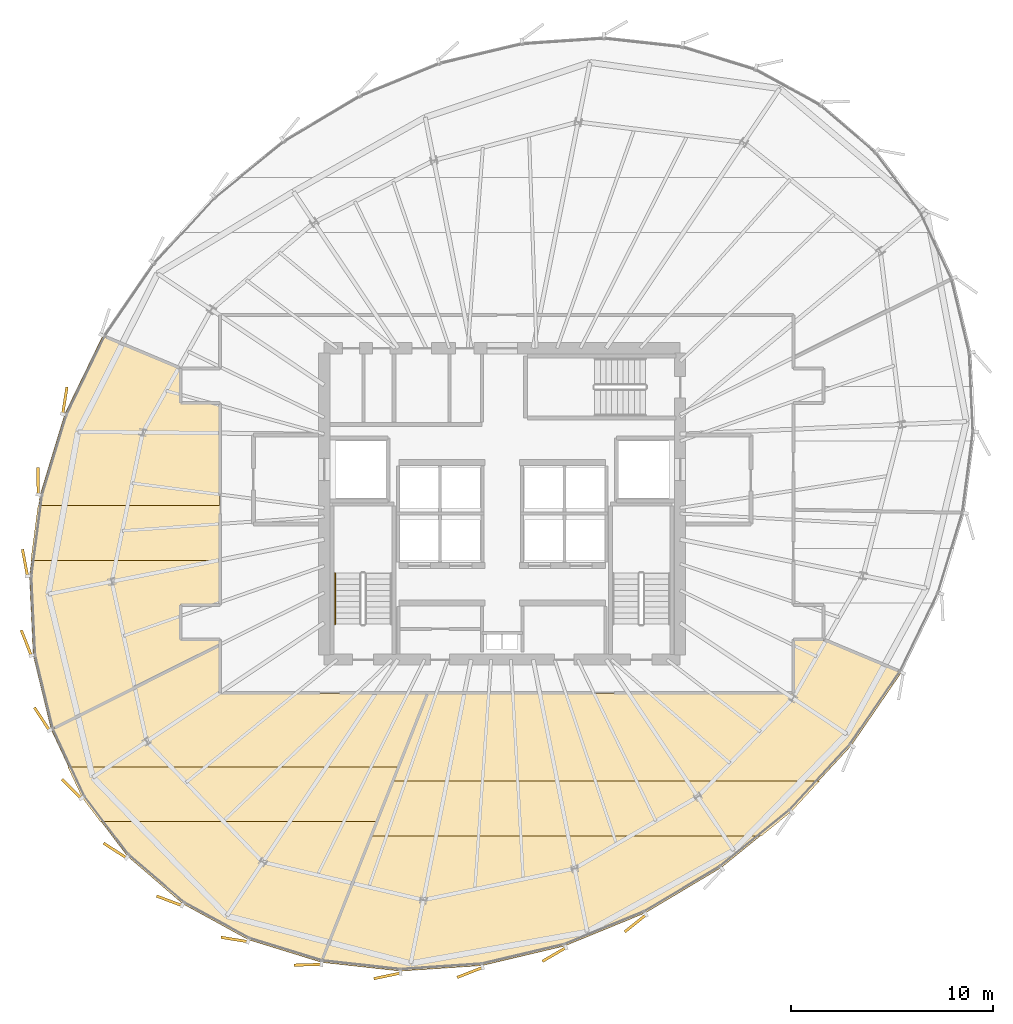
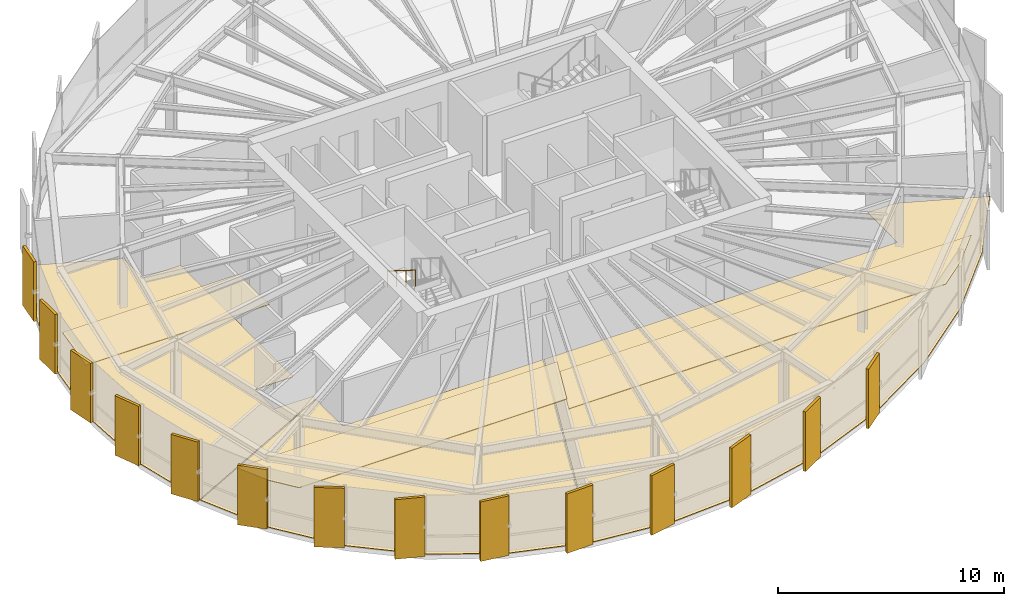
# One storey, part 32 of 34: 20 coverings, 1 railing.
"""IFC4 building model written with IfcOpenShell, lengths in metres."""

from ifc_helpers import new_model, si_unit, direction, frame, origin, origin_2d, place, context, subcontext, project, spatial, polyline, rectangle, circle, outline, extrude, source, transform, mapped, material, layer, layer_set, type_object, element, save


model = new_model("IFC4")

# Units and contexts
model_context = context("Model", 3, precision=1e-05, world=origin(), true_north=direction((0.0, 1.0)))
body_context = subcontext(model_context, "Body", "Model", "MODEL_VIEW")
ifc_project = project(units=[si_unit("LENGTHUNIT", "METRE"), si_unit("AREAUNIT", "SQUARE_METRE"), si_unit("VOLUMEUNIT", "CUBIC_METRE"), si_unit("PLANEANGLEUNIT", "RADIAN"), si_unit("MASSUNIT", "GRAM", prefix="KILO"), si_unit("THERMODYNAMICTEMPERATUREUNIT", "KELVIN")], contexts=[model_context])

# Site, building, storey
site_placement = place(None, origin())
site = spatial("IfcSite", under=ifc_project, at=site_placement, CompositionType="ELEMENT")
building_placement = place(site_placement, origin())
building = spatial("IfcBuilding", under=site, at=building_placement, Name="Kethvar Cultural Tower", CompositionType="ELEMENT")
storey_placement = place(building_placement, frame((0.0, 0.0, 207.89990234375)))
storey = spatial("IfcBuildingStorey", under=building, at=storey_placement, Name="L54", CompositionType="ELEMENT", Elevation=207.89990234375)

# Coverings
ifc_material_1 = material(Name="Acoustic Mineral Fibre Ceiling")
ifc_layer_1 = layer(ifc_material_1, 0.0400390625, Name="Acoustic Mineral Fibre Ceiling")
ifc_layer_set_1 = layer_set([ifc_layer_1], Name="Acoustic Mineral Fibre Ceiling (40 mm)")
covering_type_1 = type_object("IfcCoveringType", Name="CV-ACOUSTIC-CEIL", PredefinedType="CEILING", material=ifc_layer_set_1)
covering_1_placement = place(storey_placement, frame((0.0, 0.0, 2.56005859375)))
element("IfcCovering", 1, at=covering_1_placement, inside=storey, type_object=covering_type_1, Name="L54 Room 01 Acoustic Ceiling Panel", PredefinedType="CEILING", context=body_context, shape_type="SweptSolid", body=[
    extrude(outline(polyline([(26.033203125, 13.271484375), (25.320556640625, 14.7919921875), (41.704833984375, 14.7919921875), (40.638916015625, 12.08203125), (26.93310546875, 12.08203125), (26.033203125, 13.271484375)])), origin(), (0.0, 0.0, 1.0), 0.0400390625),
])
covering_2_placement = place(storey_placement, frame((0.0, 0.0, 2.56005859375)))
element("IfcCovering", 2, at=covering_2_placement, inside=storey, type_object=covering_type_1, Name="L54 Room 02 Acoustic Ceiling Panel", PredefinedType="CEILING", context=body_context, shape_type="SweptSolid", body=[
    extrude(outline(polyline([(61.096923828125, 12.577392578125), (59.62109375, 11.3779296875), (40.31884765625, 11.3779296875), (41.385009765625, 14.087890625), (62.490478515625, 14.087890625), (61.096923828125, 12.577392578125)])), origin(), (0.0, 0.0, 1.0), 0.0400390625),
])
covering_3_placement = place(storey_placement, frame((0.0, 0.0, 2.56005859375)))
element("IfcCovering", 3, at=covering_3_placement, inside=storey, type_object=covering_type_1, Name="L54 Room 06 Acoustic Ceiling Panel", PredefinedType="CEILING", context=body_context, shape_type="SweptSolid", body=[
    extrude(outline(polyline([(23.843017578125, 27.712890625), (32.8701171875, 27.712890625), (32.8701171875, 25.002685546875), (23.48828125, 25.002685546875), (23.843017578125, 27.712890625)])), origin(), (0.0, 0.0, 1.0), 0.0400390625),
])
ifc_material_2 = material(Name="Architectural Oak Timber", Category="wood")
ifc_layer_2 = layer(ifc_material_2, 0.02490234375, Name="Architectural Oak Timber", Category="wood")
ifc_layer_set_2 = layer_set([ifc_layer_2], Name="Architectural Oak Timber (25 mm)")
covering_type_2 = type_object("IfcCoveringType", Name="CV-OAK-FLOOR", PredefinedType="FLOORING", material=ifc_layer_set_2)
covering_4_placement = place(storey_placement, origin())
element("IfcCovering", 4, at=covering_4_placement, inside=storey, type_object=covering_type_2, Name="L54 Room 01 Floor Finish", PredefinedType="FLOORING", context=body_context, shape_type="SweptSolid", body=[
    extrude(outline(polyline([(34.2587890625, 6.245361328125), (31.020751953125, 8.01806640625), (28.26220703125, 10.3916015625), (26.06640625, 13.2939453125), (24.5078125, 16.62109375), (32.830078125, 20.7861328125), (32.84619140625, 18.430419921875), (43.0927734375, 18.429931640625), (37.8623046875, 5.132080078125), (34.2587890625, 6.245361328125)])), origin(), (0.0, 0.0, 1.0), 0.025146484375),
])
covering_5_placement = place(storey_placement, origin())
element("IfcCovering", 5, at=covering_5_placement, inside=storey, type_object=covering_type_2, Name="L54 Room 02 Floor Finish", PredefinedType="FLOORING", context=body_context, shape_type="SweptSolid", body=[
    extrude(outline(polyline([(64.071044921875, 15.85986328125), (61.068603515625, 12.605712890625), (57.632080078125, 9.813232421875), (53.866455078125, 7.5673828125), (49.88623046875, 5.936767578125), (45.8125, 4.970458984375), (41.768798828125, 4.697998046875), (37.902099609375, 5.12451171875), (43.1357421875, 18.429931640625), (61.201904296875, 18.43017578125), (61.219970703125, 21.080078125), (62.6884765625, 21.080078125), (66.535888671875, 19.4580078125), (64.071044921875, 15.85986328125)])), origin(), (0.0, 0.0, 1.0), 0.025146484375),
])
covering_6_placement = place(storey_placement, origin())
element("IfcCovering", 6, at=covering_6_placement, inside=storey, type_object=covering_type_2, Name="L54 Room 06 Floor Finish", PredefinedType="FLOORING", context=body_context, shape_type="SweptSolid", body=[
    extrude(outline(polyline([(23.61181640625, 20.3193359375), (23.427490234375, 24.229248046875), (23.953369140625, 28.247802734375), (25.173583984375, 32.2529296875), (27.04345703125, 36.107421875), (30.8798828125, 34.489990234375), (30.890625, 32.782470703125), (32.830078125, 32.780029296875), (32.830078125, 22.820068359375), (30.8798828125, 22.800048828125), (30.885986328125, 21.0859375), (32.830078125, 21.080078125), (32.830078125, 20.8310546875), (24.494873046875, 16.659423828125), (23.61181640625, 20.3193359375)])), origin(), (0.0, 0.0, 1.0), 0.025146484375),
])

# Railing
ifc_material_3 = material(Name="Steel S355J2", Category="steel")
railing_type = type_object("IfcRailingType", Name="RL-STAIR-HANDRAIL", PredefinedType="HANDRAIL", material=ifc_material_3)
railing_placement = place(storey_placement, frame((38.5400390625, 24.3701171875, 1.925048828125)))
element("IfcRailing", 7, at=railing_placement, inside=storey, type_object=railing_type, Name="L54 ST-01 stair handrail 2", PredefinedType="HANDRAIL", context=body_context, shape_type="SweptSolid", body=[
    extrude(circle(Radius=0.02392578125, at=origin_2d()), frame((0.0, 0.0, 0.8759765625), z_axis=(0.0, -0.848007534815, 0.529984170421), x_axis=(1.0, 0.0, 0.0)), (0.0, 0.0, 1.0), 2.9716796875),
    extrude(circle(Radius=0.02099609375, at=origin_2d()), origin(), (0.0, 0.0, 1.0), 0.851806640625),
    extrude(circle(Radius=0.02099609375, at=origin_2d()), frame((0.0, -0.840087890625, 0.52490234375)), (0.0, 0.0, 1.0), 0.851806640625),
    extrude(circle(Radius=0.02099609375, at=origin_2d()), frame((0.0, -1.679931640625, 1.050048828125)), (0.0, 0.0, 1.0), 0.851806640625),
    extrude(circle(Radius=0.02099609375, at=origin_2d()), frame((0.0, -2.52001953125, 1.574951171875)), (0.0, 0.0, 1.0), 0.851806640625),
])

# Coverings
ifc_material_4 = material(Name="Extruded Architectural Terracotta", Category="masonry")
ifc_layer_3 = layer(ifc_material_4, 0.135009765625, Name="Extruded Architectural Terracotta", Category="masonry")
ifc_layer_set_3 = layer_set([ifc_layer_3], Name="Extruded Architectural Terracotta (135 mm)")
covering_type_3 = type_object("IfcCoveringType", Name="Terracotta Facade Fin FIN-03", PredefinedType="CLADDING", material=ifc_layer_set_3)
shared_shape = source(origin(), body_context, "Body", "SweptSolid", [
    extrude(rectangle(XDim=1.35009765625, YDim=0.135009765625, at=origin_2d()), origin(), (0.0, 0.0, 1.0), 3.219970703125),
])
for number, where, z_axis, x_axis, name in (
    (8, (25.172119140625, 32.9130859375, 0.02001953125), (0.0, 0.0, 1.0), (0.155400074643, 0.987851616793, 0.0), "L54 Vertical Terracotta Fin 3.1"),
    (9, (23.84814453125, 28.9375, 0.02001953125), (0.0, 0.0, 1.0), (-0.009424638433, 0.999955587109, 0.0), "L54 Vertical Terracotta Fin 3.2"),
    (10, (23.202392578125, 24.8896484375, 0.02001953125), (0.0, 0.0, 1.0), (-0.185666615386, 0.982612796544, 0.0), "L54 Vertical Terracotta Fin 3.3"),
    (11, (23.265869140625, 20.925537109375, 0.02001953125), (0.0, 0.0, 1.0), (-0.367637672416, 0.929969107993, 0.0), "L54 Vertical Terracotta Fin 3.4"),
    (12, (24.040283203125, 17.162109375, 0.02001953125), (0.0, 0.0, 1.0), (-0.546101961014, 0.83771871662, 0.0), "L54 Vertical Terracotta Fin 3.5"),
    (13, (25.507080078125, 13.711669921875, 0.02001953125), (0.0, 0.0, 1.0), (-0.708463024765, 0.705747931304, 0.0), "L54 Vertical Terracotta Fin 3.6"),
    (14, (27.65673828125, 10.656494140625, 0.02001953125), (0.0, 0.0, 1.0), (-0.841416479405, 0.540387183587, 0.0), "L54 Vertical Terracotta Fin 4.1"),
    (15, (30.33935546875, 8.169921875, 0.02001953125), (0.0, 0.0, 1.0), (-0.93544403083, 0.353474843779, 0.0), "L54 Vertical Terracotta Fin 4.2"),
    (16, (33.56103515625, 6.2578125, 0.02001953125), (0.0, 0.0, 1.0), (-0.987219843349, 0.15936430246, 0.0), "L54 Vertical Terracotta Fin 4.3"),
    (17, (37.190673828125, 5.008056640625, 0.02001953125), (0.0, 0.0, 1.0), (-0.999559860119, -0.029666244085, 0.0), "L54 Vertical Terracotta Fin 4.4"),
    (18, (41.113037109375, 4.459228515625, 0.02001953125), (0.0, 0.0, 1.0), (-0.978652704312, -0.205521007059, 0.0), "L54 Vertical Terracotta Fin 4.5"),
    (19, (45.205078125, 4.627197265625, 0.02001953125), (0.0, 0.0, 1.0), (-0.931437403359, -0.363901585079, 0.0), "L54 Vertical Terracotta Fin 4.6"),
    (20, (49.3759765625, 5.51806640625, 0.02001953125), (0.0, 0.0, 1.0), (-0.863571611366, -0.504226211181, 0.0), "L54 Vertical Terracotta Fin 5.1"),
    (21, (53.390380859375, 7.057861328125, 0.02001953125), (0.0, 0.0, 1.0), (-0.779228590066, -0.626739821955, 0.0), "L54 Vertical Terracotta Fin 5.2"),
):
    element("IfcCovering", number, at=place(storey_placement, frame(where, z_axis=z_axis, x_axis=x_axis)), inside=storey, type_object=covering_type_3, Name=name, PredefinedType="CLADDING", context=body_context, shape_type="MappedRepresentation", body=[
        mapped(shared_shape, transform((0.0, 0.0, 0.0), scale=1.0)),
    ])

save(model, "model.ifc")
